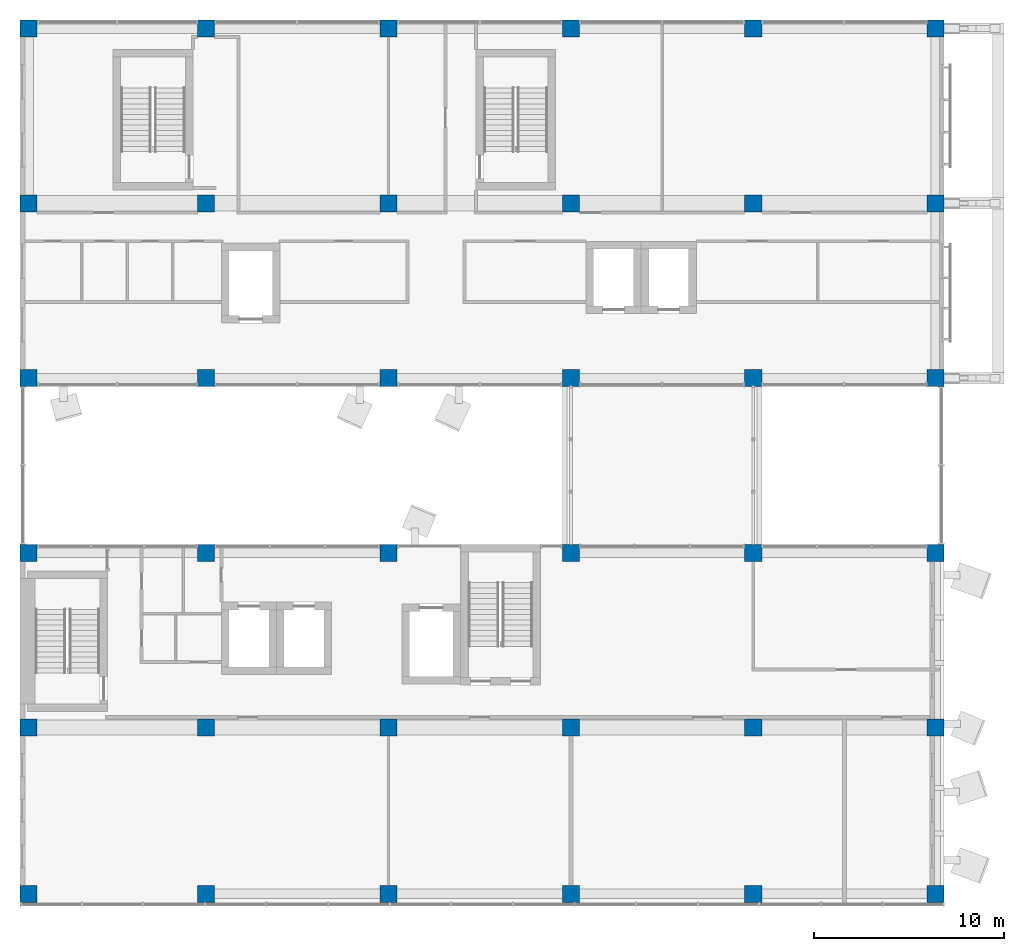
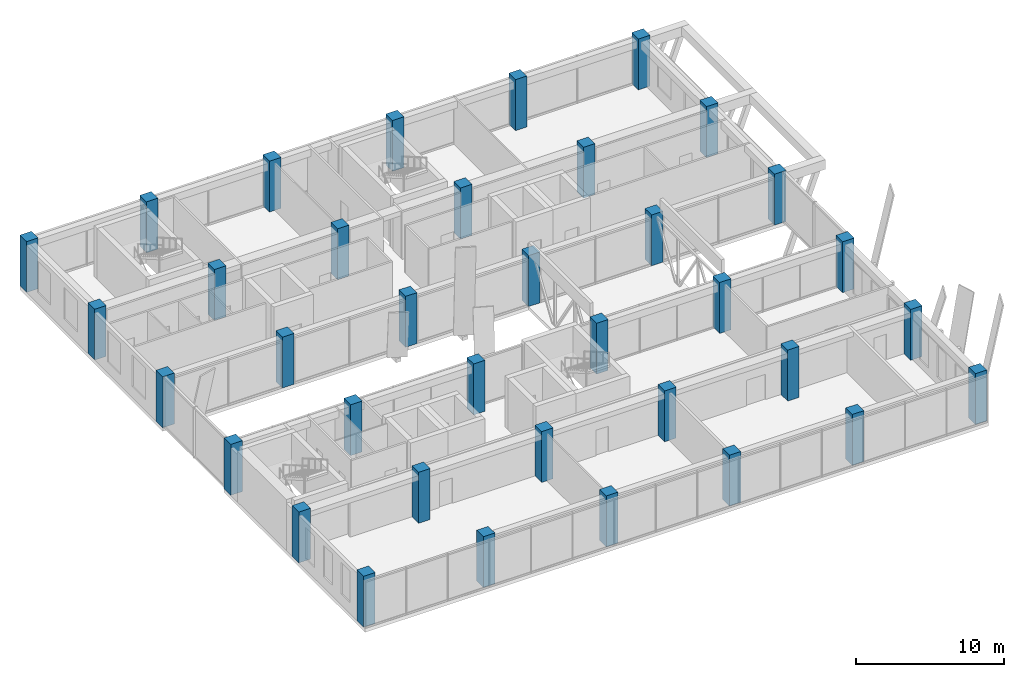
# One storey, part 1 of 38: 36 columns.
"""IFC4 building model written with IfcOpenShell, lengths in metres."""

from ifc_helpers import new_model, si_unit, direction, frame, origin, origin_2d, place, context, subcontext, project, spatial, rectangle, extrude, material, material_profile, profile_set, type_object, element, save


model = new_model("IFC4")

# Units and contexts
model_context = context("Model", 3, precision=1e-05, world=origin(), true_north=direction((0.0, 1.0)))
body_context = subcontext(model_context, "Body", "Model", "MODEL_VIEW")
ifc_project = project(units=[si_unit("LENGTHUNIT", "METRE"), si_unit("AREAUNIT", "SQUARE_METRE"), si_unit("VOLUMEUNIT", "CUBIC_METRE"), si_unit("PLANEANGLEUNIT", "RADIAN"), si_unit("MASSUNIT", "GRAM", prefix="KILO")], contexts=[model_context])

# Site, building, storey
site_placement = place(None, origin())
site = spatial("IfcSite", under=ifc_project, at=site_placement, CompositionType="ELEMENT")
building_placement = place(site_placement, origin())
building = spatial("IfcBuilding", under=site, at=building_placement, Name="Nzadi Deep Aquarium and Research Tower", CompositionType="ELEMENT")
storey_placement = place(building_placement, frame((0.0, 0.0, 48.699951171875)))
storey = spatial("IfcBuildingStorey", under=building, at=storey_placement, Name="L09", CompositionType="ELEMENT", Elevation=48.699951171875)

# Columns
ifc_material = material(Name="Concrete C40/50", Category="concrete")
ifc_material_profile = material_profile(ifc_material, rectangle(XDim=0.89990234375, YDim=0.89990234375, at=origin_2d()))
ifc_profile_set = profile_set([ifc_material_profile], Name="Concrete C40/50")
column_type = type_object("IfcColumnType", Name="RC 900x900", PredefinedType="COLUMN", material=ifc_profile_set)
for number, where, z_axis, x_axis, name in (
    (1, (0.25048828125, 0.449951171875, 0.0), (0.0, 0.0, 1.0), (1.0, 0.0, 0.0), "C-Z1-L09-A1"),
    (2, (9.60009765625, 0.449951171875, 0.0), (0.0, 0.0, 1.0), (1.0, 0.0, 0.0), "C-Z1-L09-B1"),
    (3, (19.199951171875, 0.449951171875, 0.0), (0.0, 0.0, 1.0), (1.0, 0.0, 0.0), "C-Z1-L09-C1"),
    (4, (28.800048828125, 0.449951171875, 0.0), (0.0, 0.0, 1.0), (1.0, 0.0, 0.0), "C-Z1-L09-D1"),
    (5, (38.39990234375, 0.449951171875, 0.0), (0.0, 0.0, 1.0), (1.0, 0.0, 0.0), "C-Z1-L09-E1"),
    (6, (48.0, 0.449951171875, 0.0), (0.0, 0.0, 1.0), (1.0, 0.0, 0.0), "C-Z1-L09-F1"),
    (7, (0.25048828125, 9.199951171875, 0.0), (0.0, 0.0, 1.0), (1.0, 0.0, 0.0), "C-Z1-L09-A2"),
    (8, (9.60009765625, 9.199951171875, 0.0), (0.0, 0.0, 1.0), (1.0, 0.0, 0.0), "C-Z1-L09-B2"),
    (9, (19.199951171875, 9.199951171875, 0.0), (0.0, 0.0, 1.0), (1.0, 0.0, 0.0), "C-Z1-L09-C2"),
    (10, (28.800048828125, 9.199951171875, 0.0), (0.0, 0.0, 1.0), (1.0, 0.0, 0.0), "C-Z1-L09-D2"),
    (11, (38.39990234375, 9.199951171875, 0.0), (0.0, 0.0, 1.0), (1.0, 0.0, 0.0), "C-Z1-L09-E2"),
    (12, (48.0, 9.199951171875, 0.0), (0.0, 0.0, 1.0), (1.0, 0.0, 0.0), "C-Z1-L09-F2"),
    (13, (0.25048828125, 18.39990234375, 0.0), (0.0, 0.0, 1.0), (1.0, 0.0, 0.0), "C-Z1-L09-A3"),
    (14, (9.60009765625, 18.39990234375, 0.0), (0.0, 0.0, 1.0), (1.0, 0.0, 0.0), "C-Z1-L09-B3"),
    (15, (19.199951171875, 18.39990234375, 0.0), (0.0, 0.0, 1.0), (1.0, 0.0, 0.0), "C-Z1-L09-C3"),
    (16, (28.800048828125, 18.39990234375, 0.0), (0.0, 0.0, 1.0), (1.0, 0.0, 0.0), "C-Z1-L09-D3"),
    (17, (38.39990234375, 18.39990234375, 0.0), (0.0, 0.0, 1.0), (1.0, 0.0, 0.0), "C-Z1-L09-E3"),
    (18, (48.0, 18.39990234375, 0.0), (0.0, 0.0, 1.0), (1.0, 0.0, 0.0), "C-Z1-L09-F3"),
    (19, (0.25048828125, 27.60009765625, 0.0), (0.0, 0.0, 1.0), (1.0, 0.0, 0.0), "C-Z1-L09-A4"),
    (20, (9.60009765625, 27.60009765625, 0.0), (0.0, 0.0, 1.0), (1.0, 0.0, 0.0), "C-Z1-L09-B4"),
    (21, (19.199951171875, 27.60009765625, 0.0), (0.0, 0.0, 1.0), (1.0, 0.0, 0.0), "C-Z1-L09-C4"),
    (22, (28.800048828125, 27.60009765625, 0.0), (0.0, 0.0, 1.0), (1.0, 0.0, 0.0), "C-Z1-L09-D4"),
    (23, (38.39990234375, 27.60009765625, 0.0), (0.0, 0.0, 1.0), (1.0, 0.0, 0.0), "C-Z1-L09-E4"),
    (24, (48.0, 27.60009765625, 0.0), (0.0, 0.0, 1.0), (1.0, 0.0, 0.0), "C-Z1-L09-F4"),
    (25, (0.25048828125, 36.800048828125, 0.0), (0.0, 0.0, 1.0), (1.0, 0.0, 0.0), "C-Z1-L09-A5"),
    (26, (9.60009765625, 36.800048828125, 0.0), (0.0, 0.0, 1.0), (1.0, 0.0, 0.0), "C-Z1-L09-B5"),
    (27, (19.199951171875, 36.800048828125, 0.0), (0.0, 0.0, 1.0), (1.0, 0.0, 0.0), "C-Z1-L09-C5"),
    (28, (28.800048828125, 36.800048828125, 0.0), (0.0, 0.0, 1.0), (1.0, 0.0, 0.0), "C-Z1-L09-D5"),
    (29, (38.39990234375, 36.800048828125, 0.0), (0.0, 0.0, 1.0), (1.0, 0.0, 0.0), "C-Z1-L09-E5"),
    (30, (48.0, 36.800048828125, 0.0), (0.0, 0.0, 1.0), (1.0, 0.0, 0.0), "C-Z1-L09-F5"),
    (31, (0.25048828125, 46.0, 0.0), (0.0, 0.0, 1.0), (1.0, 0.0, 0.0), "C-Z1-L09-A6"),
    (32, (9.60009765625, 46.0, 0.0), (0.0, 0.0, 1.0), (1.0, 0.0, 0.0), "C-Z1-L09-B6"),
    (33, (19.199951171875, 46.0, 0.0), (0.0, 0.0, 1.0), (1.0, 0.0, 0.0), "C-Z1-L09-C6"),
    (34, (28.800048828125, 46.0, 0.0), (0.0, 0.0, 1.0), (1.0, 0.0, 0.0), "C-Z1-L09-D6"),
    (35, (38.39990234375, 46.0, 0.0), (0.0, 0.0, 1.0), (1.0, 0.0, 0.0), "C-Z1-L09-E6"),
    (36, (48.0, 46.0, 0.0), (0.0, 0.0, 1.0), (1.0, 0.0, 0.0), "C-Z1-L09-F6"),
):
    element("IfcColumn", number, at=place(storey_placement, frame(where, z_axis=z_axis, x_axis=x_axis)), inside=storey, type_object=column_type, Name=name, PredefinedType="COLUMN", context=body_context, shape_type="SweptSolid", body=[
        extrude(rectangle(XDim=0.89990234375, YDim=0.89990234375, at=origin_2d()), origin(), (0.0, 0.0, 1.0), 4.199951171875),
    ])

save(model, "model.ifc")
